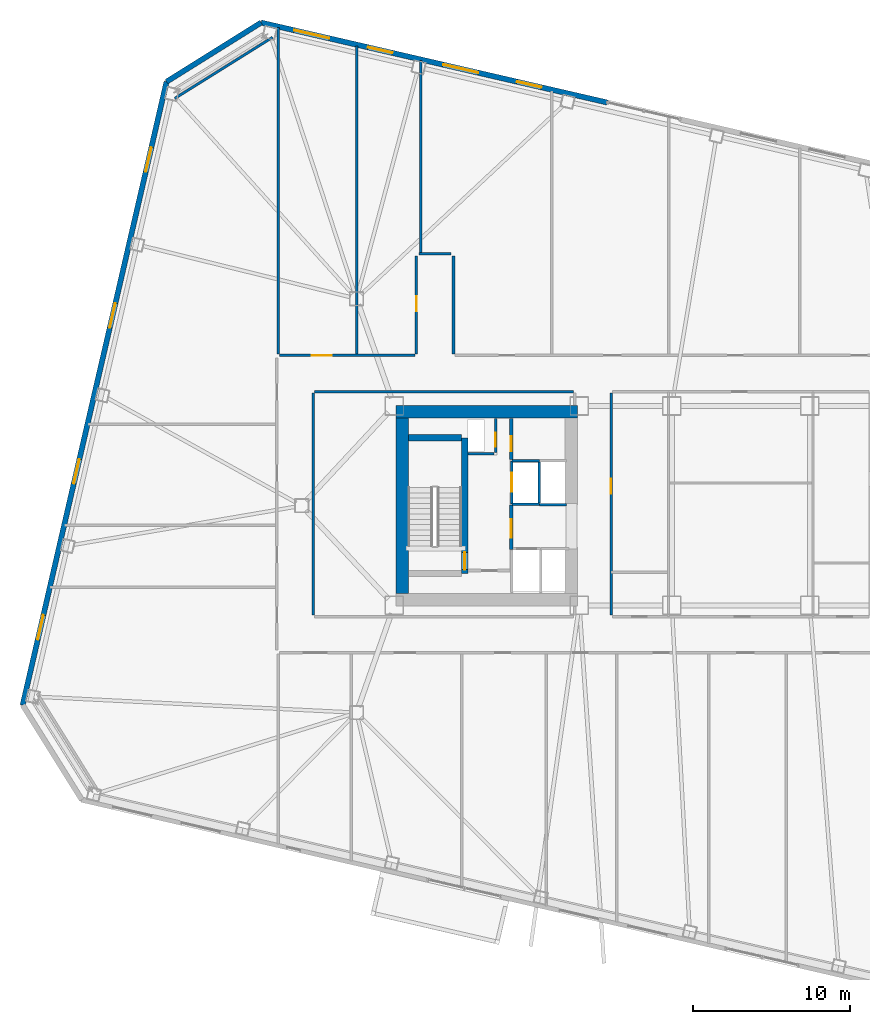
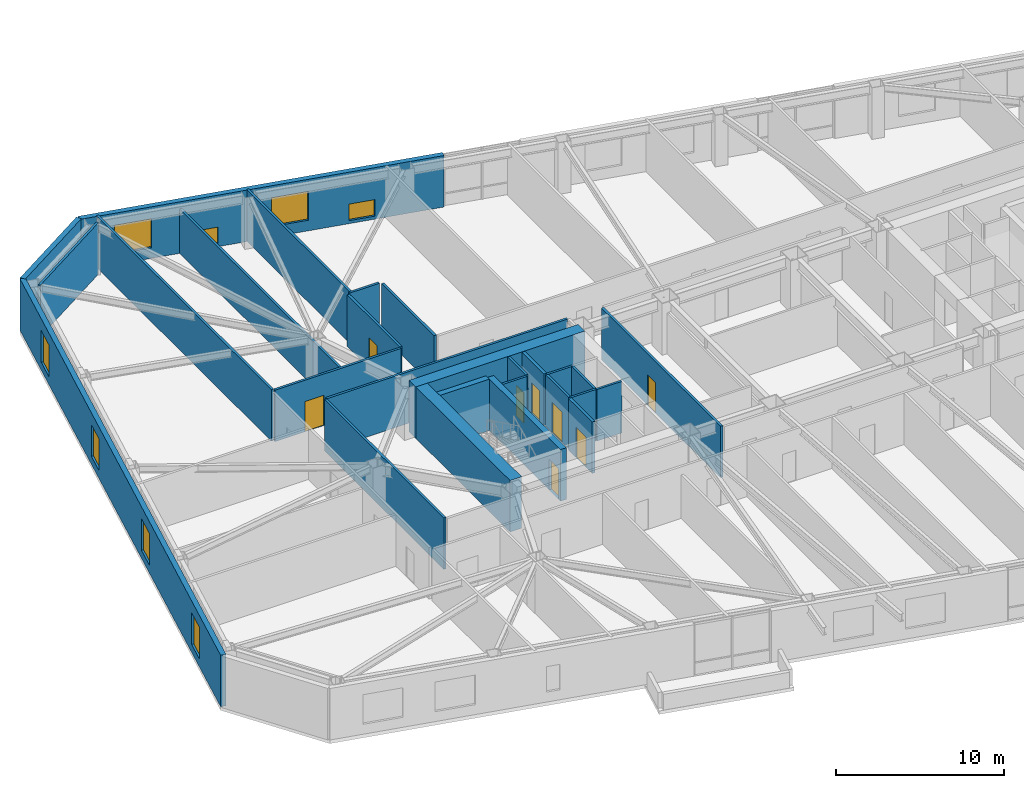
# One storey, part 14 of 22: 27 walls, 8 doors, 8 windows, 16 openings.
"""IFC4 building model written with IfcOpenShell, lengths in metres."""

from ifc_helpers import new_model, si_unit, direction, frame, frame_2d, origin, place, context, subcontext, project, spatial, rectangle, extrude, material, layer, layer_set, type_object, element, fill, save


model = new_model("IFC4")

# Units and contexts
model_context = context("Model", 3, precision=1e-05, world=origin(), true_north=direction((0.0, 1.0)))
body_context = subcontext(model_context, "Body", "Model", "MODEL_VIEW")
ifc_project = project(units=[si_unit("LENGTHUNIT", "METRE"), si_unit("AREAUNIT", "SQUARE_METRE"), si_unit("VOLUMEUNIT", "CUBIC_METRE"), si_unit("PLANEANGLEUNIT", "RADIAN"), si_unit("MASSUNIT", "GRAM", prefix="KILO")], contexts=[model_context])

# Site, building, storey
site_placement = place(None, origin())
site = spatial("IfcSite", under=ifc_project, at=site_placement, CompositionType="ELEMENT")
building_placement = place(site_placement, origin())
building = spatial("IfcBuilding", under=site, at=building_placement, Name="Tavrogorsk Clinical Tower", CompositionType="ELEMENT")
storey_placement = place(building_placement, frame((0.0, 0.0, 55.39990234375)))
storey = spatial("IfcBuildingStorey", under=building, at=storey_placement, Name="L11", CompositionType="ELEMENT", Elevation=55.39990234375)

# Wall, opening, door
ifc_material_1 = material(Name="Concrete B60", Category="concrete")
ifc_layer_1 = layer(ifc_material_1, 0.199951171875)
ifc_layer_set_1 = layer_set([ifc_layer_1], Name="Concrete B60")
wall_type_1 = type_object("IfcWallType", Name="CoreFireWall_200", PredefinedType="SOLIDWALL", material=ifc_layer_set_1)
wall_1_placement = place(storey_placement, frame((-14.639892578125, 2.9599609375, 0.0), z_axis=(0.0, 0.0, 1.0), x_axis=(0.0, 1.0, 0.0)))
wall_1 = element("IfcWall", 1, at=wall_1_placement, inside=storey, type_object=wall_type_1, Name="L11 Core West North Core Room East Wall", PredefinedType="SOLIDWALL", context=body_context, shape_type="SweptSolid", body=[
    extrude(rectangle(XDim=2.60009765625, YDim=0.199951171875, at=frame_2d((1.300048828125, 0.0))), origin(), (0.0, 0.0, 1.0), 3.739990234375),
])
opening_1_placement = place(wall_1_placement, frame((0.52001953125, 0.0, 0.0)))
opening_1 = element("IfcOpeningElement", 2, at=opening_1_placement, cuts=wall_1, Name="Opening ID-02", PredefinedType="OPENING", context=body_context, shape_type="SweptSolid", body=[
    extrude(rectangle(XDim=0.949951171875, YDim=2.199951171875, at=frame_2d((0.47509765625, 1.10009765625))), frame((0.0, 0.10986328125, 0.0), z_axis=(0.0, -1.0, 0.0), x_axis=(1.0, 0.0, 0.0)), (0.0, 0.0, 1.0), 0.219970703125),
])
ifc_material_2 = material(Name="Laminated timber leaf on aluminium frame", Category="wood")
door_type_1 = type_object("IfcDoorType", Name="InteriorDoor_ID02_950", OperationType="NOTDEFINED", PredefinedType="DOOR", material=ifc_material_2)
door_1_placement = place(opening_1_placement, origin())
door_1 = element("IfcDoor", 3, at=door_1_placement, inside=storey, type_object=door_type_1, Name="L11 Core West Core Telemetry Room Door", OperationType="SINGLE_SWING_LEFT", OverallHeight=2.199951171875, OverallWidth=0.949951171875, PredefinedType="DOOR", context=body_context, shape_type="SweptSolid", body=[
    extrude(rectangle(XDim=0.949951171875, YDim=2.199951171875, at=frame_2d((0.47509765625, 1.10009765625))), frame((0.0, 0.02490234375, 0.0), z_axis=(0.0, -1.0, 0.0), x_axis=(1.0, 0.0, 0.0)), (0.0, 0.0, 1.0), 0.050048828125),
])
fill(opening_1, door_1)

wall_2_placement = place(storey_placement, frame((-14.639892578125, -2.780029296875, 0.0), z_axis=(0.0, 0.0, 1.0), x_axis=(0.0, 1.0, 0.0)))
wall_2 = element("IfcWall", 4, at=wall_2_placement, inside=storey, type_object=wall_type_1, Name="L11 Core West Firefighting Lobby Fire Wall", PredefinedType="SOLIDWALL", context=body_context, shape_type="SweptSolid", body=[
    extrude(rectangle(XDim=2.820068359375, YDim=0.199951171875, at=frame_2d((1.41015625, 0.0))), origin(), (0.0, 0.0, 1.0), 3.739990234375),
])
opening_2_placement = place(wall_2_placement, frame((0.72998046875, 0.0, 0.0)))
opening_2 = element("IfcOpeningElement", 5, at=opening_2_placement, cuts=wall_2, Name="Opening FD-01", PredefinedType="OPENING", context=body_context, shape_type="SweptSolid", body=[
    extrude(rectangle(XDim=1.199951171875, YDim=2.199951171875, at=frame_2d((0.60009765625, 1.10009765625))), frame((0.0, 0.10986328125, 0.0), z_axis=(0.0, -1.0, 0.0), x_axis=(1.0, 0.0, 0.0)), (0.0, 0.0, 1.0), 0.219970703125),
])
ifc_material_3 = material(Name="Galvanised steel fire-rated door assembly", Category="steel")
door_type_2 = type_object("IfcDoorType", Name="FireDoor_FD01_1200", OperationType="NOTDEFINED", PredefinedType="DOOR", material=ifc_material_3)
door_2_placement = place(opening_2_placement, origin())
door_2 = element("IfcDoor", 6, at=door_2_placement, inside=storey, type_object=door_type_2, Name="L11 Core West Firefighting Lobby Entry Door", OperationType="SINGLE_SWING_RIGHT", OverallHeight=2.199951171875, OverallWidth=1.199951171875, PredefinedType="DOOR", context=body_context, shape_type="SweptSolid", body=[
    extrude(rectangle(XDim=1.199951171875, YDim=2.199951171875, at=frame_2d((0.60009765625, 1.10009765625))), frame((0.0, 0.02490234375, 0.0), z_axis=(0.0, -1.0, 0.0), x_axis=(1.0, 0.0, 0.0)), (0.0, 0.0, 1.0), 0.050048828125),
])
fill(opening_2, door_2)

# Wall
ifc_material_4 = material(Name="Lightweight concrete blockwork B15", Category="masonry")
ifc_layer_2 = layer(ifc_material_4, 0.159912109375)
ifc_layer_set_2 = layer_set([ifc_layer_2], Name="Lightweight concrete blockwork B15")
wall_type_2 = type_object("IfcWallType", Name="PartitionWall_160", PredefinedType="PARTITIONING", material=ifc_layer_set_2)
wall_3_placement = place(storey_placement, frame((-29.859619140625, 29.8681640625, 0.0), z_axis=(0.0, 0.0, 1.0), x_axis=(-0.848043064089, -0.529927317139, 0.0)))
element("IfcWall", 7, at=wall_3_placement, inside=storey, type_object=wall_type_2, Name="L11 Corner Exoskeleton Brace Furring Wall 3", PredefinedType="PARTITIONING", context=body_context, shape_type="SweptSolid", body=[
    extrude(rectangle(XDim=7.353759765625, YDim=0.159912109375, at=frame_2d((3.6767578125, 0.0))), origin(), (0.0, 0.0, 1.0), 3.739990234375),
])

# Wall, opening, door
wall_4_placement = place(storey_placement, frame((-29.4150390625, 9.580078125, 0.0), z_axis=(0.0, 0.0, 1.0), x_axis=(1.0, 0.0, 0.0)))
wall_4 = element("IfcWall", 8, at=wall_4_placement, inside=storey, type_object=wall_type_2, Name="L11 Corridor Partition 02", PredefinedType="PARTITIONING", context=body_context, shape_type="SweptSolid", body=[
    extrude(rectangle(XDim=8.650146484375, YDim=0.159912109375, at=frame_2d((4.3251953125, 0.0))), origin(), (0.0, 0.0, 1.0), 3.739990234375),
])
opening_3_placement = place(wall_4_placement, frame((2.044189453125, 0.0, 0.0)))
opening_3 = element("IfcOpeningElement", 9, at=opening_3_placement, cuts=wall_4, Name="Opening ID-01", PredefinedType="OPENING", context=body_context, shape_type="SweptSolid", body=[
    extrude(rectangle(XDim=1.300048828125, YDim=2.199951171875, at=frame_2d((0.64990234375, 1.10009765625))), frame((0.0, 0.08984375, 0.0), z_axis=(0.0, -1.0, 0.0), x_axis=(1.0, 0.0, 0.0)), (0.0, 0.0, 1.0), 0.179931640625),
])
ifc_material_5 = material(Name="Antibacterial HPL medical leaf on aluminium frame", Category="aluminium")
door_type_3 = type_object("IfcDoorType", Name="WardBedDoor_ID01_1300", OperationType="NOTDEFINED", PredefinedType="DOOR", material=ifc_material_5)
door_3_placement = place(opening_3_placement, origin())
door_3 = element("IfcDoor", 10, at=door_3_placement, inside=storey, type_object=door_type_3, Name="L11 North Step-Down Telemetry Ward 01A Door", OperationType="SINGLE_SWING_LEFT", OverallHeight=2.199951171875, OverallWidth=1.300048828125, PredefinedType="DOOR", context=body_context, shape_type="SweptSolid", body=[
    extrude(rectangle(XDim=1.300048828125, YDim=2.199951171875, at=frame_2d((0.64990234375, 1.10009765625))), frame((0.0, 0.02490234375, 0.0), z_axis=(0.0, -1.0, 0.0), x_axis=(1.0, 0.0, 0.0)), (0.0, 0.0, 1.0), 0.050048828125),
])
fill(opening_3, door_3)

wall_5_placement = place(storey_placement, frame((-20.679931640625, 9.6650390625, 0.0), z_axis=(0.0, 0.0, 1.0), x_axis=(0.0, 1.0, 0.0)))
wall_5 = element("IfcWall", 11, at=wall_5_placement, inside=storey, type_object=wall_type_2, Name="L11 Corridor Partition 03", PredefinedType="PARTITIONING", context=body_context, shape_type="SweptSolid", body=[
    extrude(rectangle(XDim=6.25, YDim=0.159912109375, at=frame_2d((3.125, 0.0))), origin(), (0.0, 0.0, 1.0), 3.739990234375),
])
opening_4_placement = place(wall_5_placement, frame((2.735107421875, 0.0, 0.0)))
opening_4 = element("IfcOpeningElement", 12, at=opening_4_placement, cuts=wall_5, Name="Opening ID-02", PredefinedType="OPENING", context=body_context, shape_type="SweptSolid", body=[
    extrude(rectangle(XDim=0.949951171875, YDim=2.199951171875, at=frame_2d((0.47509765625, 1.10009765625))), frame((0.0, 0.08984375, 0.0), z_axis=(0.0, -1.0, 0.0), x_axis=(1.0, 0.0, 0.0)), (0.0, 0.0, 1.0), 0.179931640625),
])
door_4_placement = place(opening_4_placement, origin())
door_4 = element("IfcDoor", 13, at=door_4_placement, inside=storey, type_object=door_type_1, Name="L11 North Clinical Examination Suite 01B Door", OperationType="SINGLE_SWING_RIGHT", OverallHeight=2.199951171875, OverallWidth=0.949951171875, PredefinedType="DOOR", context=body_context, shape_type="SweptSolid", body=[
    extrude(rectangle(XDim=0.949951171875, YDim=2.199951171875, at=frame_2d((0.47509765625, 1.10009765625))), frame((0.0, 0.02490234375, 0.0), z_axis=(0.0, -1.0, 0.0), x_axis=(1.0, 0.0, 0.0)), (0.0, 0.0, 1.0), 0.050048828125),
])
fill(opening_4, door_4)

# Walls
wall_6_placement = place(storey_placement, frame((-20.514892578125, 16.080078125, 0.0), z_axis=(0.0, 0.0, 1.0), x_axis=(1.0, 0.0, 0.0)))
element("IfcWall", 14, at=wall_6_placement, inside=storey, type_object=wall_type_2, Name="L11 Corridor Partition 04", PredefinedType="PARTITIONING", context=body_context, shape_type="SweptSolid", body=[
    extrude(rectangle(XDim=2.02978515625, YDim=0.159912109375, at=frame_2d((1.014892578125, 0.0))), origin(), (0.0, 0.0, 1.0), 3.739990234375),
])
wall_7_placement = place(storey_placement, frame((-18.320068359375, 15.9150390625, 0.0), z_axis=(0.0, 0.0, 1.0), x_axis=(0.0, -1.0, 0.0)))
element("IfcWall", 15, at=wall_7_placement, inside=storey, type_object=wall_type_2, Name="L11 Corridor Partition 05", PredefinedType="PARTITIONING", context=body_context, shape_type="SweptSolid", body=[
    extrude(rectangle(XDim=6.25, YDim=0.159912109375, at=frame_2d((3.125, 0.0))), origin(), (0.0, 0.0, 1.0), 3.739990234375),
])

# Wall, opening, door
wall_8_placement = place(storey_placement, frame((-8.27001953125, 7.18505859375, 0.0), z_axis=(0.0, 0.0, 1.0), x_axis=(0.0, -1.0, 0.0)))
wall_8 = element("IfcWall", 16, at=wall_8_placement, inside=storey, type_object=wall_type_2, Name="L11 Corridor Partition 16", PredefinedType="PARTITIONING", context=body_context, shape_type="SweptSolid", body=[
    extrude(rectangle(XDim=14.170166015625, YDim=0.159912109375, at=frame_2d((7.0849609375, 0.0))), origin(), (0.0, 0.0, 1.0), 3.739990234375),
])
opening_5_placement = place(wall_8_placement, frame((5.47900390625, 0.0, 0.0)))
opening_5 = element("IfcOpeningElement", 17, at=opening_5_placement, cuts=wall_8, Name="Opening ID-02", PredefinedType="OPENING", context=body_context, shape_type="SweptSolid", body=[
    extrude(rectangle(XDim=0.949951171875, YDim=2.199951171875, at=frame_2d((0.47509765625, 1.10009765625))), frame((0.0, 0.08984375, 0.0), z_axis=(0.0, -1.0, 0.0), x_axis=(1.0, 0.0, 0.0)), (0.0, 0.0, 1.0), 0.179931640625),
])
door_5_placement = place(opening_5_placement, origin())
door_5 = element("IfcDoor", 18, at=door_5_placement, inside=storey, type_object=door_type_1, Name="L11 Ward Nourishment Pantry Door", OperationType="SINGLE_SWING_RIGHT", OverallHeight=2.199951171875, OverallWidth=0.949951171875, PredefinedType="DOOR", context=body_context, shape_type="SweptSolid", body=[
    extrude(rectangle(XDim=0.949951171875, YDim=2.199951171875, at=frame_2d((0.47509765625, 1.10009765625))), frame((0.0, 0.02490234375, 0.0), z_axis=(0.0, -1.0, 0.0), x_axis=(1.0, 0.0, 0.0)), (0.0, 0.0, 1.0), 0.050048828125),
])
fill(opening_5, door_5)

# Walls
wall_9_placement = place(storey_placement, frame((-10.6650390625, 7.27001953125, 0.0), z_axis=(0.0, 0.0, 1.0), x_axis=(-1.0, 0.0, 0.0)))
element("IfcWall", 19, at=wall_9_placement, inside=storey, type_object=wall_type_2, Name="L11 Corridor Partition 20", PredefinedType="PARTITIONING", context=body_context, shape_type="SweptSolid", body=[
    extrude(rectangle(XDim=16.52001953125, YDim=0.159912109375, at=frame_2d((8.260009765625, 0.0))), origin(), (0.0, 0.0, 1.0), 3.739990234375),
])
wall_10_placement = place(storey_placement, frame((-27.27001953125, 7.18505859375, 0.0), z_axis=(0.0, 0.0, 1.0), x_axis=(0.0, -1.0, 0.0)))
element("IfcWall", 20, at=wall_10_placement, inside=storey, type_object=wall_type_2, Name="L11 Corridor Partition 21", PredefinedType="PARTITIONING", context=body_context, shape_type="SweptSolid", body=[
    extrude(rectangle(XDim=14.170166015625, YDim=0.159912109375, at=frame_2d((7.0849609375, 0.0))), origin(), (0.0, 0.0, 1.0), 3.739990234375),
])
wall_11_placement = place(storey_placement, frame((-29.5, 9.6650390625, 0.0), z_axis=(0.0, 0.0, 1.0), x_axis=(0.0, 1.0, 0.0)))
element("IfcWall", 21, at=wall_11_placement, inside=storey, type_object=wall_type_2, Name="L11 NW Wing Closure Partition", PredefinedType="PARTITIONING", context=body_context, shape_type="SweptSolid", body=[
    extrude(rectangle(XDim=20.818603515625, YDim=0.159912109375, at=frame_2d((10.4091796875, 0.0))), origin(), (0.0, 0.0, 1.0), 3.739990234375),
])
wall_12_placement = place(storey_placement, frame((-20.39990234375, 16.0849609375, 0.0), z_axis=(0.0, 0.0, 1.0), x_axis=(0.0, 1.0, 0.0)))
element("IfcWall", 22, at=wall_12_placement, inside=storey, type_object=wall_type_2, Name="L11 North Room Partition 1", PredefinedType="PARTITIONING", context=body_context, shape_type="SweptSolid", body=[
    extrude(rectangle(XDim=12.2978515625, YDim=0.159912109375, at=frame_2d((6.14892578125, 0.0))), origin(), (0.0, 0.0, 1.0), 3.739990234375),
])
wall_13_placement = place(storey_placement, frame((-24.5, 9.6650390625, 0.0), z_axis=(0.0, 0.0, 1.0), x_axis=(0.0, 1.0, 0.0)))
element("IfcWall", 23, at=wall_13_placement, inside=storey, type_object=wall_type_2, Name="L11 North Sub-Partition 1", PredefinedType="PARTITIONING", context=body_context, shape_type="SweptSolid", body=[
    extrude(rectangle(XDim=19.664306640625, YDim=0.159912109375, at=frame_2d((9.83203125, 0.0))), origin(), (0.0, 0.0, 1.0), 3.235107421875),
])

# Wall, openings, windows
ifc_material_6 = material(Name="Precast concrete B45 with limestone cladding", Category="masonry")
ifc_layer_3 = layer(ifc_material_6, 0.340087890625)
ifc_layer_set_3 = layer_set([ifc_layer_3], Name="Precast concrete B45 with limestone cladding")
wall_type_3 = type_object("IfcWallType", Name="PrecastLimestoneWall_340", PredefinedType="STANDARD", material=ifc_layer_set_3)
wall_14_placement = place(storey_placement, frame((-8.5166015625, 25.711181640625, 0.0), z_axis=(0.0, 0.0, 1.0), x_axis=(-0.974372845456, 0.224939009598, 0.0)))
wall_14 = element("IfcWall", 24, at=wall_14_placement, inside=storey, type_object=wall_type_3, Name="L11 N Limestone Facade Wall 3", PredefinedType="STANDARD", context=body_context, shape_type="SweptSolid", body=[
    extrude(rectangle(XDim=22.651611328125, YDim=0.340087890625, at=frame_2d((11.32568359375, 0.0))), origin(), (0.0, 0.0, 1.0), 3.739990234375),
])
opening_6_placement = place(wall_14_placement, frame((18.189208984375, 0.0, 0.77001953125)))
opening_6 = element("IfcOpeningElement", 25, at=opening_6_placement, cuts=wall_14, Name="Opening WN-12", PredefinedType="OPENING", context=body_context, shape_type="SweptSolid", body=[
    extrude(rectangle(XDim=2.300048828125, YDim=2.10009765625, at=frame_2d((1.14990234375, 1.050048828125))), frame((0.0, 0.179931640625, 0.0), z_axis=(0.0, -1.0, 0.0), x_axis=(1.0, 0.0, 0.0)), (0.0, 0.0, 1.0), 0.360107421875),
])
opening_7_placement = place(wall_14_placement, frame((14.054931640625, 0.0, 0.219970703125)))
opening_7 = element("IfcOpeningElement", 26, at=opening_7_placement, cuts=wall_14, Name="Opening WN-09", PredefinedType="OPENING", context=body_context, shape_type="SweptSolid", body=[
    extrude(rectangle(XDim=1.60009765625, YDim=1.199951171875, at=frame_2d((0.800048828125, 0.60009765625))), frame((0.0, 0.179931640625, 0.0), z_axis=(0.0, -1.0, 0.0), x_axis=(1.0, 0.0, 0.0)), (0.0, 0.0, 1.0), 0.360107421875),
])
opening_8_placement = place(wall_14_placement, frame((8.440673828125, 0.0, 0.77001953125)))
opening_8 = element("IfcOpeningElement", 27, at=opening_8_placement, cuts=wall_14, Name="Opening WN-12", PredefinedType="OPENING", context=body_context, shape_type="SweptSolid", body=[
    extrude(rectangle(XDim=2.300048828125, YDim=2.10009765625, at=frame_2d((1.14990234375, 1.050048828125))), frame((0.0, 0.179931640625, 0.0), z_axis=(0.0, -1.0, 0.0), x_axis=(1.0, 0.0, 0.0)), (0.0, 0.0, 1.0), 0.360107421875),
])
opening_9_placement = place(wall_14_placement, frame((4.306396484375, 0.0, 0.219970703125)))
opening_9 = element("IfcOpeningElement", 28, at=opening_9_placement, cuts=wall_14, Name="Opening WN-09", PredefinedType="OPENING", context=body_context, shape_type="SweptSolid", body=[
    extrude(rectangle(XDim=1.60009765625, YDim=1.199951171875, at=frame_2d((0.800048828125, 0.60009765625))), frame((0.0, 0.179931640625, 0.0), z_axis=(0.0, -1.0, 0.0), x_axis=(1.0, 0.0, 0.0)), (0.0, 0.0, 1.0), 0.360107421875),
])
ifc_material_7 = material(Name="Thermally broken aluminium frame and triple IGU", Category="aluminium")
window_type_1 = type_object("IfcWindowType", Name="LowHeadTransWin_1600x1200", PartitioningType="DOUBLE_PANEL_VERTICAL", PredefinedType="WINDOW", material=ifc_material_7)
window_1_placement = place(opening_7_placement, origin())
window_1 = element("IfcWindow", 29, at=window_1_placement, inside=storey, type_object=window_type_1, Name="L11 N Chicago Window 02", OverallHeight=1.199951171875, OverallWidth=1.60009765625, PartitioningType="SINGLE_PANEL", PredefinedType="WINDOW", context=body_context, shape_type="SweptSolid", body=[
    extrude(rectangle(XDim=1.60009765625, YDim=1.199951171875, at=frame_2d((0.800048828125, 0.60009765625))), frame((0.0, 0.030029296875, 0.0), z_axis=(0.0, -1.0, 0.0), x_axis=(1.0, 0.0, 0.0)), (0.0, 0.0, 1.0), 0.06005859375),
])
fill(opening_7, window_1)
window_2_placement = place(opening_9_placement, origin())
window_2 = element("IfcWindow", 30, at=window_2_placement, inside=storey, type_object=window_type_1, Name="L11 N Chicago Window 04", OverallHeight=1.199951171875, OverallWidth=1.60009765625, PartitioningType="SINGLE_PANEL", PredefinedType="WINDOW", context=body_context, shape_type="SweptSolid", body=[
    extrude(rectangle(XDim=1.60009765625, YDim=1.199951171875, at=frame_2d((0.800048828125, 0.60009765625))), frame((0.0, 0.030029296875, 0.0), z_axis=(0.0, -1.0, 0.0), x_axis=(1.0, 0.0, 0.0)), (0.0, 0.0, 1.0), 0.06005859375),
])
fill(opening_9, window_2)
ifc_material_8 = material(Name="Thermally broken aluminium frame and triple IGU", Category="aluminium")
window_type_2 = type_object("IfcWindowType", Name="RecoveryWin_2300x2100", PartitioningType="DOUBLE_PANEL_VERTICAL", PredefinedType="WINDOW", material=ifc_material_8)
window_3_placement = place(opening_6_placement, origin())
window_3 = element("IfcWindow", 31, at=window_3_placement, inside=storey, type_object=window_type_2, Name="L11 N Chicago Window 01", OverallHeight=2.10009765625, OverallWidth=2.300048828125, PartitioningType="SINGLE_PANEL", PredefinedType="WINDOW", context=body_context, shape_type="SweptSolid", body=[
    extrude(rectangle(XDim=2.300048828125, YDim=2.10009765625, at=frame_2d((1.14990234375, 1.050048828125))), frame((0.0, 0.030029296875, 0.0), z_axis=(0.0, -1.0, 0.0), x_axis=(1.0, 0.0, 0.0)), (0.0, 0.0, 1.0), 0.06005859375),
])
fill(opening_6, window_3)
window_4_placement = place(opening_8_placement, origin())
window_4 = element("IfcWindow", 32, at=window_4_placement, inside=storey, type_object=window_type_2, Name="L11 N Chicago Window 03", OverallHeight=2.10009765625, OverallWidth=2.300048828125, PartitioningType="SINGLE_PANEL", PredefinedType="WINDOW", context=body_context, shape_type="SweptSolid", body=[
    extrude(rectangle(XDim=2.300048828125, YDim=2.10009765625, at=frame_2d((1.14990234375, 1.050048828125))), frame((0.0, 0.030029296875, 0.0), z_axis=(0.0, -1.0, 0.0), x_axis=(1.0, 0.0, 0.0)), (0.0, 0.0, 1.0), 0.06005859375),
])
fill(opening_8, window_4)

wall_15_placement = place(storey_placement, frame((-36.6201171875, 27.036865234375, 0.0), z_axis=(0.0, 0.0, 1.0), x_axis=(-0.224951280646, -0.974370012539, 0.0)))
wall_15 = element("IfcWall", 33, at=wall_15_placement, inside=storey, type_object=wall_type_3, Name="L11 W Pleated Limestone Wing Wall", PredefinedType="STANDARD", context=body_context, shape_type="SweptSolid", body=[
    extrude(rectangle(XDim=40.7998046875, YDim=0.340087890625, at=frame_2d((20.39990234375, 0.0))), origin(), (0.0, 0.0, 1.0), 3.739990234375),
])
opening_10_placement = place(wall_15_placement, frame((4.300048828125, 0.0, 0.580078125)))
opening_10 = element("IfcOpeningElement", 34, at=opening_10_placement, cuts=wall_15, Name="Opening WN-07", PredefinedType="OPENING", context=body_context, shape_type="SweptSolid", body=[
    extrude(rectangle(XDim=1.60009765625, YDim=2.300048828125, at=frame_2d((0.800048828125, 1.14990234375))), frame((0.0, 0.179931640625, 0.0), z_axis=(0.0, -1.0, 0.0), x_axis=(1.0, 0.0, 0.0)), (0.0, 0.0, 1.0), 0.360107421875),
])
opening_11_placement = place(wall_15_placement, frame((14.5, 0.0, 0.580078125)))
opening_11 = element("IfcOpeningElement", 35, at=opening_11_placement, cuts=wall_15, Name="Opening WN-07", PredefinedType="OPENING", context=body_context, shape_type="SweptSolid", body=[
    extrude(rectangle(XDim=1.60009765625, YDim=2.300048828125, at=frame_2d((0.800048828125, 1.14990234375))), frame((0.0, 0.179931640625, 0.0), z_axis=(0.0, -1.0, 0.0), x_axis=(1.0, 0.0, 0.0)), (0.0, 0.0, 1.0), 0.360107421875),
])
opening_12_placement = place(wall_15_placement, frame((24.699951171875, 0.0, 0.580078125)))
opening_12 = element("IfcOpeningElement", 36, at=opening_12_placement, cuts=wall_15, Name="Opening WN-07", PredefinedType="OPENING", context=body_context, shape_type="SweptSolid", body=[
    extrude(rectangle(XDim=1.60009765625, YDim=2.300048828125, at=frame_2d((0.800048828125, 1.14990234375))), frame((0.0, 0.179931640625, 0.0), z_axis=(0.0, -1.0, 0.0), x_axis=(1.0, 0.0, 0.0)), (0.0, 0.0, 1.0), 0.360107421875),
])
opening_13_placement = place(wall_15_placement, frame((34.89990234375, 0.0, 0.580078125)))
opening_13 = element("IfcOpeningElement", 37, at=opening_13_placement, cuts=wall_15, Name="Opening WN-07", PredefinedType="OPENING", context=body_context, shape_type="SweptSolid", body=[
    extrude(rectangle(XDim=1.60009765625, YDim=2.300048828125, at=frame_2d((0.800048828125, 1.14990234375))), frame((0.0, 0.179931640625, 0.0), z_axis=(0.0, -1.0, 0.0), x_axis=(1.0, 0.0, 0.0)), (0.0, 0.0, 1.0), 0.360107421875),
])
ifc_material_9 = material(Name="Thermally broken aluminium frame and triple IGU", Category="aluminium")
window_type_3 = type_object("IfcWindowType", Name="PleatSlotWin_1600x2300", PartitioningType="SINGLE_PANEL", PredefinedType="WINDOW", material=ifc_material_9)
window_5_placement = place(opening_10_placement, origin())
window_5 = element("IfcWindow", 38, at=window_5_placement, inside=storey, type_object=window_type_3, Name="L11 W Pleat Slot Window 1", OverallHeight=2.300048828125, OverallWidth=1.60009765625, PartitioningType="SINGLE_PANEL", PredefinedType="WINDOW", context=body_context, shape_type="SweptSolid", body=[
    extrude(rectangle(XDim=1.60009765625, YDim=2.300048828125, at=frame_2d((0.800048828125, 1.14990234375))), frame((0.0, 0.030029296875, 0.0), z_axis=(0.0, -1.0, 0.0), x_axis=(1.0, 0.0, 0.0)), (0.0, 0.0, 1.0), 0.06005859375),
])
fill(opening_10, window_5)
window_6_placement = place(opening_11_placement, origin())
window_6 = element("IfcWindow", 39, at=window_6_placement, inside=storey, type_object=window_type_3, Name="L11 W Pleat Slot Window 2", OverallHeight=2.300048828125, OverallWidth=1.60009765625, PartitioningType="SINGLE_PANEL", PredefinedType="WINDOW", context=body_context, shape_type="SweptSolid", body=[
    extrude(rectangle(XDim=1.60009765625, YDim=2.300048828125, at=frame_2d((0.800048828125, 1.14990234375))), frame((0.0, 0.030029296875, 0.0), z_axis=(0.0, -1.0, 0.0), x_axis=(1.0, 0.0, 0.0)), (0.0, 0.0, 1.0), 0.06005859375),
])
fill(opening_11, window_6)
window_7_placement = place(opening_12_placement, origin())
window_7 = element("IfcWindow", 40, at=window_7_placement, inside=storey, type_object=window_type_3, Name="L11 W Pleat Slot Window 3", OverallHeight=2.300048828125, OverallWidth=1.60009765625, PartitioningType="SINGLE_PANEL", PredefinedType="WINDOW", context=body_context, shape_type="SweptSolid", body=[
    extrude(rectangle(XDim=1.60009765625, YDim=2.300048828125, at=frame_2d((0.800048828125, 1.14990234375))), frame((0.0, 0.030029296875, 0.0), z_axis=(0.0, -1.0, 0.0), x_axis=(1.0, 0.0, 0.0)), (0.0, 0.0, 1.0), 0.06005859375),
])
fill(opening_12, window_7)
window_8_placement = place(opening_13_placement, origin())
window_8 = element("IfcWindow", 41, at=window_8_placement, inside=storey, type_object=window_type_3, Name="L11 W Pleat Slot Window 4", OverallHeight=2.300048828125, OverallWidth=1.60009765625, PartitioningType="SINGLE_PANEL", PredefinedType="WINDOW", context=body_context, shape_type="SweptSolid", body=[
    extrude(rectangle(XDim=1.60009765625, YDim=2.300048828125, at=frame_2d((0.800048828125, 1.14990234375))), frame((0.0, 0.030029296875, 0.0), z_axis=(0.0, -1.0, 0.0), x_axis=(1.0, 0.0, 0.0)), (0.0, 0.0, 1.0), 0.06005859375),
])
fill(opening_13, window_8)

# Wall
wall_16_placement = place(storey_placement, frame((-30.587646484375, 30.806640625, 0.0), z_axis=(0.0, 0.0, 1.0), x_axis=(-0.848031080615, -0.529946493819, 0.0)))
element("IfcWall", 42, at=wall_16_placement, inside=storey, type_object=wall_type_3, Name="L11 Chamfered Corner Wall 3", PredefinedType="STANDARD", context=body_context, shape_type="SweptSolid", body=[
    extrude(rectangle(XDim=7.113525390625, YDim=0.340087890625, at=frame_2d((3.556640625, 0.0))), origin(), (0.0, 0.0, 1.0), 3.739990234375),
])

# Wall, opening, door
ifc_material_10 = material(Name="Lightweight concrete blockwork B25", Category="masonry")
ifc_layer_4 = layer(ifc_material_10, 0.159912109375)
ifc_layer_set_4 = layer_set([ifc_layer_4], Name="Lightweight concrete blockwork B25")
wall_type_4 = type_object("IfcWallType", Name="ShaftWall_160", PredefinedType="PARTITIONING", material=ifc_layer_set_4)
wall_17_placement = place(storey_placement, frame((-14.60009765625, 0.1201171875, 0.0), z_axis=(0.0, 0.0, 1.0), x_axis=(0.0, 1.0, 0.0)))
wall_17 = element("IfcWall", 43, at=wall_17_placement, inside=storey, type_object=wall_type_4, Name="L11 FFL-W Firefighting Lift Front Wall", PredefinedType="PARTITIONING", context=body_context, shape_type="SweptSolid", body=[
    extrude(rectangle(XDim=2.739990234375, YDim=0.159912109375, at=frame_2d((1.3701171875, 0.0))), origin(), (0.0, 0.0, 1.0), 3.739990234375),
])
opening_14_placement = place(wall_17_placement, frame((0.77001953125, 0.0, 0.0)))
opening_14 = element("IfcOpeningElement", 44, at=opening_14_placement, cuts=wall_17, Name="Opening LD", PredefinedType="OPENING", context=body_context, shape_type="SweptSolid", body=[
    extrude(rectangle(XDim=1.199951171875, YDim=2.199951171875, at=frame_2d((0.60009765625, 1.10009765625))), frame((0.0, 0.08984375, 0.0), z_axis=(0.0, -1.0, 0.0), x_axis=(1.0, 0.0, 0.0)), (0.0, 0.0, 1.0), 0.179931640625),
])
ifc_material_11 = material(Name="Brushed stainless steel AISI 304 sliding doors", Category="steel")
door_type_4 = type_object("IfcDoorType", Name="LiftLandingDoor_LD_1200", OperationType="SLIDING_TO_LEFT", PredefinedType="DOOR", material=ifc_material_11)
door_6_placement = place(opening_14_placement, origin())
door_6 = element("IfcDoor", 45, at=door_6_placement, inside=storey, type_object=door_type_4, Name="L11 FFL-W Sliding Lift Landing Door", OperationType="SLIDING_TO_LEFT", OverallHeight=2.199951171875, OverallWidth=1.199951171875, PredefinedType="DOOR", context=body_context, shape_type="SweptSolid", body=[
    extrude(rectangle(XDim=1.199951171875, YDim=2.199951171875, at=frame_2d((0.60009765625, 1.10009765625))), frame((0.0, 0.02490234375, 0.0), z_axis=(0.0, -1.0, 0.0), x_axis=(1.0, 0.0, 0.0)), (0.0, 0.0, 1.0), 0.050048828125),
])
fill(opening_14, door_6)

# Walls
for number, where, z_axis, x_axis, name in (
    (46, (-14.60009765625, 0.10009765625, 0.0), (0.0, 0.0, 1.0), (1.0, 0.0, 0.0), "L11 FFL-W Shaft South Wall"),
    (47, (-14.60009765625, 2.8798828125, 0.0), (0.0, 0.0, 1.0), (1.0, 0.0, 0.0), "L11 FFL-W Shaft North Wall"),
):
    element("IfcWall", number, at=place(storey_placement, frame(where, z_axis=z_axis, x_axis=x_axis)), inside=storey, type_object=wall_type_4, Name=name, PredefinedType="PARTITIONING", context=body_context, shape_type="SweptSolid", body=[
        extrude(rectangle(XDim=1.760009765625, YDim=0.159912109375, at=frame_2d((0.8798828125, 0.0))), origin(), (0.0, 0.0, 1.0), 3.739990234375),
    ])
wall_18_placement = place(storey_placement, frame((-12.840087890625, 0.179931640625, 0.0), z_axis=(0.0, 0.0, 1.0), x_axis=(0.0, 1.0, 0.0)))
element("IfcWall", 48, at=wall_18_placement, inside=storey, type_object=wall_type_4, Name="L11 FFL-W Shaft Back Wall", PredefinedType="PARTITIONING", context=body_context, shape_type="SweptSolid", body=[
    extrude(rectangle(XDim=2.6201171875, YDim=0.159912109375, at=frame_2d((1.31005859375, 0.0))), origin(), (0.0, 0.0, 1.0), 3.739990234375),
])
wall_19_placement = place(storey_placement, frame((-12.820068359375, 0.06005859375, 0.0), z_axis=(0.0, 0.0, 1.0), x_axis=(1.0, 0.0, 0.0)))
element("IfcWall", 49, at=wall_19_placement, inside=storey, type_object=wall_type_4, Name="L11 LP-H1 High-Zone Lift Portal Wall", PredefinedType="PARTITIONING", context=body_context, shape_type="SweptSolid", body=[
    extrude(rectangle(XDim=1.719970703125, YDim=0.159912109375, at=frame_2d((0.85986328125, 0.0))), origin(), (0.0, 0.0, 1.0), 3.739990234375),
])

# Wall, opening, door
wall_20_placement = place(storey_placement, frame((-15.639892578125, 3.405029296875, 0.0), z_axis=(0.0, 0.0, 1.0), x_axis=(0.0, 1.0, 0.0)))
wall_20 = element("IfcWall", 50, at=wall_20_placement, inside=storey, type_object=wall_type_4, Name="L11 Core West Riser West Wall", PredefinedType="PARTITIONING", context=body_context, shape_type="SweptSolid", body=[
    extrude(rectangle(XDim=2.155029296875, YDim=0.159912109375, at=frame_2d((1.07763671875, 0.0))), origin(), (0.0, 0.0, 1.0), 3.739990234375),
])
opening_15_placement = place(wall_20_placement, frame((0.35009765625, 0.0, 0.0)))
opening_15 = element("IfcOpeningElement", 51, at=opening_15_placement, cuts=wall_20, Name="Opening FD-02", PredefinedType="OPENING", context=body_context, shape_type="SweptSolid", body=[
    extrude(rectangle(XDim=0.89990234375, YDim=2.199951171875, at=frame_2d((0.449951171875, 1.10009765625))), frame((0.0, 0.08984375, 0.0), z_axis=(0.0, -1.0, 0.0), x_axis=(1.0, 0.0, 0.0)), (0.0, 0.0, 1.0), 0.179931640625),
])
ifc_material_12 = material(Name="Galvanised steel fire-rated door assembly", Category="steel")
door_type_5 = type_object("IfcDoorType", Name="FireDoor_FD02_900", OperationType="NOTDEFINED", PredefinedType="DOOR", material=ifc_material_12)
door_7_placement = place(opening_15_placement, origin())
door_7 = element("IfcDoor", 52, at=door_7_placement, inside=storey, type_object=door_type_5, Name="L11 Core West Electrical Riser Access Door", OperationType="SINGLE_SWING_LEFT", OverallHeight=2.199951171875, OverallWidth=0.89990234375, PredefinedType="DOOR", context=body_context, shape_type="SweptSolid", body=[
    extrude(rectangle(XDim=0.89990234375, YDim=2.199951171875, at=frame_2d((0.449951171875, 1.10009765625))), frame((0.0, 0.02490234375, 0.0), z_axis=(0.0, -1.0, 0.0), x_axis=(1.0, 0.0, 0.0)), (0.0, 0.0, 1.0), 0.050048828125),
])
fill(opening_15, door_7)

# Wall
wall_21_placement = place(storey_placement, frame((-17.3798828125, 3.320068359375, 0.0), z_axis=(0.0, 0.0, 1.0), x_axis=(1.0, 0.0, 0.0)))
element("IfcWall", 53, at=wall_21_placement, inside=storey, type_object=wall_type_4, Name="L11 Core West Riser South Wall", PredefinedType="PARTITIONING", context=body_context, shape_type="SweptSolid", body=[
    extrude(rectangle(XDim=1.65478515625, YDim=0.159912109375, at=frame_2d((0.827392578125, 0.0))), origin(), (0.0, 0.0, 1.0), 3.739990234375),
])

# Wall, opening, door
ifc_material_13 = material(Name="Concrete B80", Category="concrete")
ifc_layer_5 = layer(ifc_material_13, 0.39990234375)
ifc_layer_set_5 = layer_set([ifc_layer_5], Name="Concrete B80")
wall_type_5 = type_object("IfcWallType", Name="ShearWall_400", PredefinedType="SHEAR", material=ifc_layer_set_5)
wall_22_placement = place(storey_placement, frame((-17.60009765625, -4.324951171875, 0.0), z_axis=(0.0, 0.0, 1.0), x_axis=(0.0, 1.0, 0.0)))
wall_22 = element("IfcWall", 54, at=wall_22_placement, inside=storey, type_object=wall_type_5, Name="L11 Core West Stair Shaft Inner Shear Wall", PredefinedType="SHEAR", context=body_context, shape_type="SweptSolid", body=[
    extrude(rectangle(XDim=8.64990234375, YDim=0.39990234375, at=frame_2d((4.324951171875, 0.0))), origin(), (0.0, 0.0, 1.0), 3.739990234375),
])
opening_16_placement = place(wall_22_placement, frame((0.25, 0.0, 0.0)))
opening_16 = element("IfcOpeningElement", 55, at=opening_16_placement, cuts=wall_22, Name="Opening SD-01", PredefinedType="OPENING", context=body_context, shape_type="SweptSolid", body=[
    extrude(rectangle(XDim=1.10009765625, YDim=2.199951171875, at=frame_2d((0.550048828125, 1.10009765625))), frame((0.0, 0.2099609375, 0.0), z_axis=(0.0, -1.0, 0.0), x_axis=(1.0, 0.0, 0.0)), (0.0, 0.0, 1.0), 0.419921875),
])
ifc_material_14 = material(Name="Galvanised steel smoke-tight fire door assembly", Category="steel")
door_type_6 = type_object("IfcDoorType", Name="StairFireDoor_SD01_1100", OperationType="NOTDEFINED", PredefinedType="DOOR", material=ifc_material_14)
door_8_placement = place(opening_16_placement, origin())
door_8 = element("IfcDoor", 56, at=door_8_placement, inside=storey, type_object=door_type_6, Name="L11 ST-W Exit Stair Door", OperationType="SINGLE_SWING_RIGHT", OverallHeight=2.199951171875, OverallWidth=1.10009765625, PredefinedType="DOOR", context=body_context, shape_type="SweptSolid", body=[
    extrude(rectangle(XDim=1.10009765625, YDim=2.199951171875, at=frame_2d((0.550048828125, 1.10009765625))), frame((0.0, 0.02490234375, 0.0), z_axis=(0.0, -1.0, 0.0), x_axis=(1.0, 0.0, 0.0)), (0.0, 0.0, 1.0), 0.050048828125),
])
fill(opening_16, door_8)

# Walls
wall_23_placement = place(storey_placement, frame((-21.199951171875, 4.324951171875, 0.0), z_axis=(0.0, 0.0, 1.0), x_axis=(1.0, 0.0, 0.0)))
element("IfcWall", 57, at=wall_23_placement, inside=storey, type_object=wall_type_5, Name="L11 Core West Stair Shaft North Shear Wall", PredefinedType="SHEAR", context=body_context, shape_type="SweptSolid", body=[
    extrude(rectangle(XDim=3.39990234375, YDim=0.39990234375, at=frame_2d((1.699951171875, 0.0))), origin(), (0.0, 0.0, 1.0), 3.739990234375),
])
ifc_material_15 = material(Name="Concrete B80", Category="concrete")
ifc_layer_6 = layer(ifc_material_15, 0.800048828125)
ifc_layer_set_6 = layer_set([ifc_layer_6], Name="Concrete B80")
wall_type_6 = type_object("IfcWallType", Name="ShearWall_800", PredefinedType="SHEAR", material=ifc_layer_set_6)
wall_24_placement = place(storey_placement, frame((-22.0, 6.0, 0.0), z_axis=(0.0, 0.0, 1.0), x_axis=(1.0, 0.0, 0.0)))
element("IfcWall", 58, at=wall_24_placement, inside=storey, type_object=wall_type_6, Name="L11 Core West North Shear Wall", PredefinedType="SHEAR", context=body_context, shape_type="SweptSolid", body=[
    extrude(rectangle(XDim=11.60009765625, YDim=0.800048828125, at=frame_2d((5.800048828125, 0.0))), origin(), (0.0, 0.0, 1.0), 3.739990234375),
])
wall_25_placement = place(storey_placement, frame((-21.60009765625, -5.60009765625, 0.0), z_axis=(0.0, 0.0, 1.0), x_axis=(0.0, 1.0, 0.0)))
element("IfcWall", 59, at=wall_25_placement, inside=storey, type_object=wall_type_6, Name="L11 Core West End Shear Wall", PredefinedType="SHEAR", context=body_context, shape_type="SweptSolid", body=[
    extrude(rectangle(XDim=11.2001953125, YDim=0.800048828125, at=frame_2d((5.60009765625, 0.0))), origin(), (0.0, 0.0, 1.0), 3.739990234375),
])

save(model, "model.ifc")
